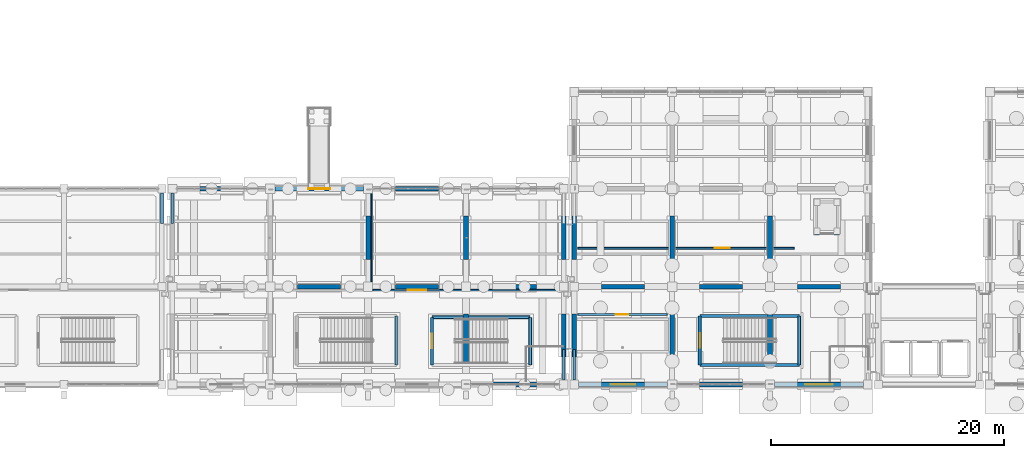
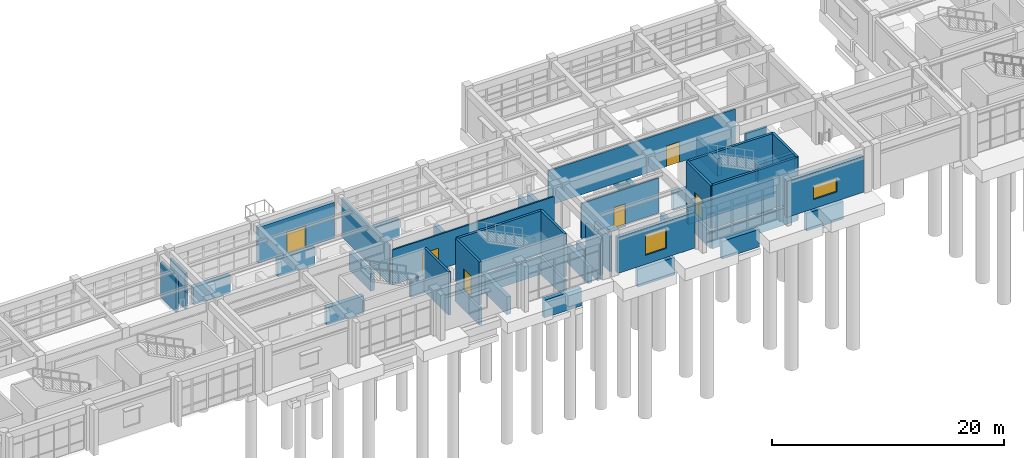
# One storey, part 85 of 111: 51 walls, 6 doors, 2 windows, 8 openings.
"""IFC4 building model written with IfcOpenShell, lengths in metres."""

from ifc_helpers import new_model, si_unit, direction, frame, frame_2d, origin, place, context, subcontext, project, spatial, rectangle, extrude, material, layer, layer_set, type_object, element, fill, save


model = new_model("IFC4")

# Units and contexts
model_context = context("Model", 3, precision=1e-05, world=origin(), true_north=direction((0.0, 1.0)))
body_context = subcontext(model_context, "Body", "Model", "MODEL_VIEW")
ifc_project = project(units=[si_unit("LENGTHUNIT", "METRE"), si_unit("AREAUNIT", "SQUARE_METRE"), si_unit("VOLUMEUNIT", "CUBIC_METRE"), si_unit("PLANEANGLEUNIT", "RADIAN"), si_unit("MASSUNIT", "GRAM", prefix="KILO")], contexts=[model_context])

# Site, building, storey
site_placement = place(None, origin())
site = spatial("IfcSite", under=ifc_project, at=site_placement, CompositionType="ELEMENT")
building_placement = place(site_placement, origin())
building = spatial("IfcBuilding", under=site, at=building_placement, Name="Canglan Escarpment Cableway Terminal", CompositionType="ELEMENT")
storey_placement = place(building_placement, frame((0.0, 0.0, 4.800048828125)))
storey = spatial("IfcBuildingStorey", under=building, at=storey_placement, Name="L01", CompositionType="ELEMENT", Elevation=4.800048828125)

# Walls
ifc_material_1 = material(Name="Concrete C40", Category="concrete")
ifc_layer_1 = layer(ifc_material_1, 0.39990234375, Name="Concrete C40")
ifc_layer_set_1 = layer_set([ifc_layer_1], Name="Concrete C40")
wall_type_1 = type_object("IfcWallType", Name="WL-BENCH-SOLID-400", PredefinedType="SOLIDWALL", material=ifc_layer_set_1)
for number, where, z_axis, x_axis, name in (
    (1, (104.550048828125, 8.0, -2.10009765625), (0.0, 0.0, 1.0), (1.0, 0.0, 0.0), "Hillside bench foundation wall BWALL-X-FB3-1-4"),
    (2, (87.75, 16.39990234375, -2.10009765625), (0.0, 0.0, 1.0), (1.0, 0.0, 0.0), "Hillside bench foundation wall BWALL-X-FB3-2-2"),
):
    element("IfcWall", number, at=place(storey_placement, frame(where, z_axis=z_axis, x_axis=x_axis)), inside=storey, type_object=wall_type_1, Name=name, PredefinedType="SOLIDWALL", context=body_context, shape_type="SweptSolid", body=[
        extrude(rectangle(XDim=3.699951171875, YDim=0.39990234375, at=frame_2d((1.85009765625, 0.0))), origin(), (0.0, 0.0, 1.0), 1.85009765625),
    ])
wall_1_placement = place(storey_placement, frame((96.14990234375, 16.39990234375, -2.10009765625), z_axis=(0.0, 0.0, 1.0), x_axis=(1.0, 0.0, 0.0)))
element("IfcWall", 3, at=wall_1_placement, inside=storey, type_object=wall_type_1, Name="Hillside bench foundation wall BWALL-X-FB3-2-3", PredefinedType="SOLIDWALL", context=body_context, shape_type="SweptSolid", body=[
    extrude(rectangle(XDim=3.7001953125, YDim=0.39990234375, at=frame_2d((1.85009765625, 0.0))), origin(), (0.0, 0.0, 1.0), 1.85009765625),
])
for number, where, z_axis, x_axis, name in (
    (4, (104.550048828125, 16.39990234375, -2.10009765625), (0.0, 0.0, 1.0), (1.0, 0.0, 0.0), "Hillside bench foundation wall BWALL-X-FB3-2-4"),
    (5, (79.35009765625, 24.800048828125, -2.10009765625), (0.0, 0.0, 1.0), (1.0, 0.0, 0.0), "Hillside bench foundation wall BWALL-X-FB3-3-1"),
    (6, (87.75, 24.800048828125, -2.10009765625), (0.0, 0.0, 1.0), (1.0, 0.0, 0.0), "Hillside bench foundation wall BWALL-X-FB3-3-2"),
):
    element("IfcWall", number, at=place(storey_placement, frame(where, z_axis=z_axis, x_axis=x_axis)), inside=storey, type_object=wall_type_1, Name=name, PredefinedType="SOLIDWALL", context=body_context, shape_type="SweptSolid", body=[
        extrude(rectangle(XDim=3.699951171875, YDim=0.39990234375, at=frame_2d((1.85009765625, 0.0))), origin(), (0.0, 0.0, 1.0), 1.85009765625),
    ])
wall_2_placement = place(storey_placement, frame((96.14990234375, 24.800048828125, -2.10009765625), z_axis=(0.0, 0.0, 1.0), x_axis=(1.0, 0.0, 0.0)))
element("IfcWall", 7, at=wall_2_placement, inside=storey, type_object=wall_type_1, Name="Hillside bench foundation wall BWALL-X-FB3-3-3", PredefinedType="SOLIDWALL", context=body_context, shape_type="SweptSolid", body=[
    extrude(rectangle(XDim=3.7001953125, YDim=0.39990234375, at=frame_2d((1.85009765625, 0.0))), origin(), (0.0, 0.0, 1.0), 1.85009765625),
])
wall_3_placement = place(storey_placement, frame((93.800048828125, 18.75, -2.10009765625), z_axis=(0.0, 0.0, 1.0), x_axis=(0.0, 1.0, 0.0)))
element("IfcWall", 8, at=wall_3_placement, inside=storey, type_object=wall_type_1, Name="Hillside bench transverse foundation wall BWALL-Y-FB3-3-2", PredefinedType="SOLIDWALL", context=body_context, shape_type="SweptSolid", body=[
    extrude(rectangle(XDim=3.699951171875, YDim=0.39990234375, at=frame_2d((1.85009765625, 0.0))), origin(), (0.0, 0.0, 1.0), 1.85009765625),
])
wall_4_placement = place(storey_placement, frame((102.199951171875, 9.820068359375, -2.10009765625), z_axis=(0.0, 0.0, 1.0), x_axis=(0.0, 1.0, 0.0)))
element("IfcWall", 9, at=wall_4_placement, inside=storey, type_object=wall_type_1, Name="Hillside bench transverse foundation wall BWALL-Y-FB3-4-1", PredefinedType="SOLIDWALL", context=body_context, shape_type="SweptSolid", body=[
    extrude(rectangle(XDim=4.22998046875, YDim=0.39990234375, at=frame_2d((2.114990234375, 0.0))), origin(), (0.0, 0.0, 1.0), 1.85009765625),
])
for number, where, z_axis, x_axis, name in (
    (10, (102.199951171875, 18.75, -2.10009765625), (0.0, 0.0, 1.0), (0.0, 1.0, 0.0), "Hillside bench transverse foundation wall BWALL-Y-FB3-4-2"),
    (11, (110.60009765625, 10.35009765625, -2.10009765625), (0.0, 0.0, 1.0), (0.0, 1.0, 0.0), "Hillside bench transverse foundation wall BWALL-Y-FB3-5-1"),
    (12, (110.60009765625, 18.75, -2.10009765625), (0.0, 0.0, 1.0), (0.0, 1.0, 0.0), "Hillside bench transverse foundation wall BWALL-Y-FB3-5-2"),
    (13, (113.85009765625, 8.0, -2.10009765625), (0.0, 0.0, 1.0), (1.0, 0.0, 0.0), "Hillside bench foundation wall BWALL-X-FB4-1-1"),
    (14, (122.25, 8.0, -2.10009765625), (0.0, 0.0, 1.0), (1.0, 0.0, 0.0), "Hillside bench foundation wall BWALL-X-FB4-1-2"),
):
    element("IfcWall", number, at=place(storey_placement, frame(where, z_axis=z_axis, x_axis=x_axis)), inside=storey, type_object=wall_type_1, Name=name, PredefinedType="SOLIDWALL", context=body_context, shape_type="SweptSolid", body=[
        extrude(rectangle(XDim=3.699951171875, YDim=0.39990234375, at=frame_2d((1.85009765625, 0.0))), origin(), (0.0, 0.0, 1.0), 1.85009765625),
    ])
wall_5_placement = place(storey_placement, frame((130.64990234375, 8.0, -2.10009765625), z_axis=(0.0, 0.0, 1.0), x_axis=(1.0, 0.0, 0.0)))
element("IfcWall", 15, at=wall_5_placement, inside=storey, type_object=wall_type_1, Name="Hillside bench foundation wall BWALL-X-FB4-1-3", PredefinedType="SOLIDWALL", context=body_context, shape_type="SweptSolid", body=[
    extrude(rectangle(XDim=3.7001953125, YDim=0.39990234375, at=frame_2d((1.85009765625, 0.0))), origin(), (0.0, 0.0, 1.0), 1.85009765625),
])
for number, where, z_axis, x_axis, name in (
    (16, (113.85009765625, 16.39990234375, -2.10009765625), (0.0, 0.0, 1.0), (1.0, 0.0, 0.0), "Hillside bench foundation wall BWALL-X-FB4-2-1"),
    (17, (122.25, 16.39990234375, -2.10009765625), (0.0, 0.0, 1.0), (1.0, 0.0, 0.0), "Hillside bench foundation wall BWALL-X-FB4-2-2"),
):
    element("IfcWall", number, at=place(storey_placement, frame(where, z_axis=z_axis, x_axis=x_axis)), inside=storey, type_object=wall_type_1, Name=name, PredefinedType="SOLIDWALL", context=body_context, shape_type="SweptSolid", body=[
        extrude(rectangle(XDim=3.699951171875, YDim=0.39990234375, at=frame_2d((1.85009765625, 0.0))), origin(), (0.0, 0.0, 1.0), 1.85009765625),
    ])
wall_6_placement = place(storey_placement, frame((130.64990234375, 16.39990234375, -2.10009765625), z_axis=(0.0, 0.0, 1.0), x_axis=(1.0, 0.0, 0.0)))
element("IfcWall", 18, at=wall_6_placement, inside=storey, type_object=wall_type_1, Name="Hillside bench foundation wall BWALL-X-FB4-2-3", PredefinedType="SOLIDWALL", context=body_context, shape_type="SweptSolid", body=[
    extrude(rectangle(XDim=3.7001953125, YDim=0.39990234375, at=frame_2d((1.85009765625, 0.0))), origin(), (0.0, 0.0, 1.0), 1.85009765625),
])
for number, where, z_axis, x_axis, name in (
    (19, (111.5, 10.35009765625, -2.10009765625), (0.0, 0.0, 1.0), (0.0, 1.0, 0.0), "Hillside bench transverse foundation wall BWALL-Y-FB4-1-1"),
    (20, (111.5, 18.75, -2.10009765625), (0.0, 0.0, 1.0), (0.0, 1.0, 0.0), "Hillside bench transverse foundation wall BWALL-Y-FB4-1-2"),
    (21, (119.89990234375, 10.35009765625, -2.10009765625), (0.0, 0.0, 1.0), (0.0, 1.0, 0.0), "Hillside bench transverse foundation wall BWALL-Y-FB4-2-1"),
    (22, (119.89990234375, 18.75, -2.10009765625), (0.0, 0.0, 1.0), (0.0, 1.0, 0.0), "Hillside bench transverse foundation wall BWALL-Y-FB4-2-2"),
):
    element("IfcWall", number, at=place(storey_placement, frame(where, z_axis=z_axis, x_axis=x_axis)), inside=storey, type_object=wall_type_1, Name=name, PredefinedType="SOLIDWALL", context=body_context, shape_type="SweptSolid", body=[
        extrude(rectangle(XDim=3.699951171875, YDim=0.39990234375, at=frame_2d((1.85009765625, 0.0))), origin(), (0.0, 0.0, 1.0), 1.85009765625),
    ])
wall_7_placement = place(storey_placement, frame((128.300048828125, 9.820068359375, -2.10009765625), z_axis=(0.0, 0.0, 1.0), x_axis=(0.0, 1.0, 0.0)))
element("IfcWall", 23, at=wall_7_placement, inside=storey, type_object=wall_type_1, Name="Hillside bench transverse foundation wall BWALL-Y-FB4-3-1", PredefinedType="SOLIDWALL", context=body_context, shape_type="SweptSolid", body=[
    extrude(rectangle(XDim=4.22998046875, YDim=0.39990234375, at=frame_2d((2.114990234375, 0.0))), origin(), (0.0, 0.0, 1.0), 1.85009765625),
])
wall_8_placement = place(storey_placement, frame((128.300048828125, 18.75, -2.10009765625), z_axis=(0.0, 0.0, 1.0), x_axis=(0.0, 1.0, 0.0)))
element("IfcWall", 24, at=wall_8_placement, inside=storey, type_object=wall_type_1, Name="Hillside bench transverse foundation wall BWALL-Y-FB4-3-2", PredefinedType="SOLIDWALL", context=body_context, shape_type="SweptSolid", body=[
    extrude(rectangle(XDim=3.699951171875, YDim=0.39990234375, at=frame_2d((1.85009765625, 0.0))), origin(), (0.0, 0.0, 1.0), 1.85009765625),
])
wall_9_placement = place(storey_placement, frame((107.719970703125, 9.679931640625, -2.10009765625), z_axis=(0.0, 0.0, 1.0), x_axis=(0.0, 1.0, 0.0)))
element("IfcWall", 25, at=wall_9_placement, inside=storey, type_object=wall_type_1, Name="Stair core foundation wall ST-14", PredefinedType="SOLIDWALL", context=body_context, shape_type="SweptSolid", body=[
    extrude(rectangle(XDim=4.090087890625, YDim=0.280029296875, at=frame_2d((2.044921875, 0.0))), origin(), (0.0, 0.0, 1.0), 1.800048828125),
])
wall_10_placement = place(storey_placement, frame((107.719970703125, 13.77001953125, -2.10009765625), z_axis=(0.0, 0.0, 1.0), x_axis=(-1.0, 0.0, 0.0)))
element("IfcWall", 26, at=wall_10_placement, inside=storey, type_object=wall_type_1, Name="Stair core foundation wall ST-14", PredefinedType="SOLIDWALL", context=body_context, shape_type="SweptSolid", body=[
    extrude(rectangle(XDim=8.43994140625, YDim=0.280029296875, at=frame_2d((4.219970703125, 0.0))), origin(), (0.0, 0.0, 1.0), 1.800048828125),
])
wall_11_placement = place(storey_placement, frame((99.280029296875, 13.77001953125, -2.10009765625), z_axis=(0.0, 0.0, 1.0), x_axis=(0.0, -1.0, 0.0)))
element("IfcWall", 27, at=wall_11_placement, inside=storey, type_object=wall_type_1, Name="Stair core foundation wall ST-14", PredefinedType="SOLIDWALL", context=body_context, shape_type="SweptSolid", body=[
    extrude(rectangle(XDim=4.090087890625, YDim=0.280029296875, at=frame_2d((2.044921875, 0.0))), origin(), (0.0, 0.0, 1.0), 1.800048828125),
])
wall_12_placement = place(storey_placement, frame((122.280029296875, 9.679931640625, -2.10009765625), z_axis=(0.0, 0.0, 1.0), x_axis=(1.0, 0.0, 0.0)))
element("IfcWall", 28, at=wall_12_placement, inside=storey, type_object=wall_type_1, Name="Stair core foundation wall ST-07", PredefinedType="SOLIDWALL", context=body_context, shape_type="SweptSolid", body=[
    extrude(rectangle(XDim=8.5400390625, YDim=0.280029296875, at=frame_2d((4.27001953125, 0.0))), origin(), (0.0, 0.0, 1.0), 1.800048828125),
])
wall_13_placement = place(storey_placement, frame((130.820068359375, 9.679931640625, -2.10009765625), z_axis=(0.0, 0.0, 1.0), x_axis=(0.0, 1.0, 0.0)))
element("IfcWall", 29, at=wall_13_placement, inside=storey, type_object=wall_type_1, Name="Stair core foundation wall ST-07", PredefinedType="SOLIDWALL", context=body_context, shape_type="SweptSolid", body=[
    extrude(rectangle(XDim=4.190185546875, YDim=0.280029296875, at=frame_2d((2.09521484375, 0.0))), origin(), (0.0, 0.0, 1.0), 1.800048828125),
])
wall_14_placement = place(storey_placement, frame((130.820068359375, 13.8701171875, -2.10009765625), z_axis=(0.0, 0.0, 1.0), x_axis=(-1.0, 0.0, 0.0)))
element("IfcWall", 30, at=wall_14_placement, inside=storey, type_object=wall_type_1, Name="Stair core foundation wall ST-07", PredefinedType="SOLIDWALL", context=body_context, shape_type="SweptSolid", body=[
    extrude(rectangle(XDim=8.5400390625, YDim=0.280029296875, at=frame_2d((4.27001953125, 0.0))), origin(), (0.0, 0.0, 1.0), 1.800048828125),
])
wall_15_placement = place(storey_placement, frame((122.280029296875, 13.8701171875, -2.10009765625), z_axis=(0.0, 0.0, 1.0), x_axis=(0.0, -1.0, 0.0)))
element("IfcWall", 31, at=wall_15_placement, inside=storey, type_object=wall_type_1, Name="Stair core foundation wall ST-07", PredefinedType="SOLIDWALL", context=body_context, shape_type="SweptSolid", body=[
    extrude(rectangle(XDim=4.190185546875, YDim=0.280029296875, at=frame_2d((2.09521484375, 0.0))), origin(), (0.0, 0.0, 1.0), 1.800048828125),
])
ifc_layer_2 = layer(ifc_material_1, 0.239990234375, Name="Concrete C40")
ifc_layer_set_2 = layer_set([ifc_layer_2], Name="Concrete C40")
wall_type_2 = type_object("IfcWallType", Name="WL-CORE-SHEAR-240", PredefinedType="SHEAR", material=ifc_layer_set_2)
wall_16_placement = place(storey_placement, frame((96.219970703125, 9.679931640625, 0.0), z_axis=(0.0, 0.0, 1.0), x_axis=(0.0, 1.0, 0.0)))
element("IfcWall", 32, at=wall_16_placement, inside=storey, type_object=wall_type_2, Name="Protected stair core wall ST-06 (L01)", PredefinedType="SHEAR", context=body_context, shape_type="SweptSolid", body=[
    extrude(rectangle(XDim=4.190185546875, YDim=0.239990234375, at=frame_2d((2.09521484375, 0.0))), origin(), (0.0, 0.0, 1.0), 4.550048828125),
])
wall_17_placement = place(storey_placement, frame((107.719970703125, 9.679931640625, 0.0), z_axis=(0.0, 0.0, 1.0), x_axis=(0.0, 1.0, 0.0)))
element("IfcWall", 33, at=wall_17_placement, inside=storey, type_object=wall_type_2, Name="Protected stair core wall ST-14 (L01)", PredefinedType="SHEAR", context=body_context, shape_type="SweptSolid", body=[
    extrude(rectangle(XDim=4.090087890625, YDim=0.239990234375, at=frame_2d((2.044921875, 0.0))), origin(), (0.0, 0.0, 1.0), 4.550048828125),
])
wall_18_placement = place(storey_placement, frame((107.719970703125, 13.77001953125, 0.0), z_axis=(0.0, 0.0, 1.0), x_axis=(-1.0, 0.0, 0.0)))
element("IfcWall", 34, at=wall_18_placement, inside=storey, type_object=wall_type_2, Name="Protected stair core wall ST-14 (L01)", PredefinedType="SHEAR", context=body_context, shape_type="SweptSolid", body=[
    extrude(rectangle(XDim=8.43994140625, YDim=0.239990234375, at=frame_2d((4.219970703125, 0.0))), origin(), (0.0, 0.0, 1.0), 4.550048828125),
])

# Wall, opening, door
wall_19_placement = place(storey_placement, frame((99.280029296875, 13.77001953125, 0.0), z_axis=(0.0, 0.0, 1.0), x_axis=(0.0, -1.0, 0.0)))
wall_19 = element("IfcWall", 35, at=wall_19_placement, inside=storey, type_object=wall_type_2, Name="Protected stair core wall ST-14 (L01)", PredefinedType="SHEAR", context=body_context, shape_type="SweptSolid", body=[
    extrude(rectangle(XDim=4.090087890625, YDim=0.239990234375, at=frame_2d((2.044921875, 0.0))), origin(), (0.0, 0.0, 1.0), 4.550048828125),
])
opening_1_placement = place(wall_19_placement, frame((1.419921875, 0.0, 0.0)))
opening_1 = element("IfcOpeningElement", 36, at=opening_1_placement, cuts=wall_19, Name="Opening SD-D1", PredefinedType="OPENING", context=body_context, shape_type="SweptSolid", body=[
    extrude(rectangle(XDim=1.25, YDim=2.199951171875, at=frame_2d((0.625, 1.10009765625))), frame((0.0, 0.1298828125, 0.0), z_axis=(0.0, -1.0, 0.0), x_axis=(1.0, 0.0, 0.0)), (0.0, 0.0, 1.0), 0.260009765625),
])
ifc_material_2 = material(Name="Steel fire-resisting stair door", Category="steel")
door_type_1 = type_object("IfcDoorType", Name="DR-STAIR-EI90-1250", OperationType="NOTDEFINED", PredefinedType="DOOR", material=ifc_material_2)
door_1_placement = place(opening_1_placement, origin())
door_1 = element("IfcDoor", 37, at=door_1_placement, inside=storey, type_object=door_type_1, Name="Protected exit stair fire door ST-14 (L01)", OperationType="SINGLE_SWING_LEFT", OverallHeight=2.199951171875, OverallWidth=1.25, PredefinedType="DOOR", context=body_context, shape_type="SweptSolid", body=[
    extrude(rectangle(XDim=1.25, YDim=2.199951171875, at=frame_2d((0.625, 1.10009765625))), frame((0.0, 0.02490234375, 0.0), z_axis=(0.0, -1.0, 0.0), x_axis=(1.0, 0.0, 0.0)), (0.0, 0.0, 1.0), 0.050048828125),
])
fill(opening_1, door_1)

# Walls
wall_20_placement = place(storey_placement, frame((122.280029296875, 9.679931640625, 0.0), z_axis=(0.0, 0.0, 1.0), x_axis=(1.0, 0.0, 0.0)))
element("IfcWall", 38, at=wall_20_placement, inside=storey, type_object=wall_type_2, Name="Protected stair core wall ST-07 (L01)", PredefinedType="SHEAR", context=body_context, shape_type="SweptSolid", body=[
    extrude(rectangle(XDim=8.5400390625, YDim=0.239990234375, at=frame_2d((4.27001953125, 0.0))), origin(), (0.0, 0.0, 1.0), 4.550048828125),
])
wall_21_placement = place(storey_placement, frame((130.820068359375, 9.679931640625, 0.0), z_axis=(0.0, 0.0, 1.0), x_axis=(0.0, 1.0, 0.0)))
element("IfcWall", 39, at=wall_21_placement, inside=storey, type_object=wall_type_2, Name="Protected stair core wall ST-07 (L01)", PredefinedType="SHEAR", context=body_context, shape_type="SweptSolid", body=[
    extrude(rectangle(XDim=4.190185546875, YDim=0.239990234375, at=frame_2d((2.09521484375, 0.0))), origin(), (0.0, 0.0, 1.0), 4.550048828125),
])
wall_22_placement = place(storey_placement, frame((130.820068359375, 13.8701171875, 0.0), z_axis=(0.0, 0.0, 1.0), x_axis=(-1.0, 0.0, 0.0)))
element("IfcWall", 40, at=wall_22_placement, inside=storey, type_object=wall_type_2, Name="Protected stair core wall ST-07 (L01)", PredefinedType="SHEAR", context=body_context, shape_type="SweptSolid", body=[
    extrude(rectangle(XDim=8.5400390625, YDim=0.239990234375, at=frame_2d((4.27001953125, 0.0))), origin(), (0.0, 0.0, 1.0), 4.550048828125),
])

# Wall, opening, door
wall_23_placement = place(storey_placement, frame((122.280029296875, 13.8701171875, 0.0), z_axis=(0.0, 0.0, 1.0), x_axis=(0.0, -1.0, 0.0)))
wall_23 = element("IfcWall", 41, at=wall_23_placement, inside=storey, type_object=wall_type_2, Name="Protected stair core wall ST-07 (L01)", PredefinedType="SHEAR", context=body_context, shape_type="SweptSolid", body=[
    extrude(rectangle(XDim=4.190185546875, YDim=0.239990234375, at=frame_2d((2.09521484375, 0.0))), origin(), (0.0, 0.0, 1.0), 4.550048828125),
])
opening_2_placement = place(wall_23_placement, frame((1.469970703125, 0.0, 0.0)))
opening_2 = element("IfcOpeningElement", 42, at=opening_2_placement, cuts=wall_23, Name="Opening SD-D1", PredefinedType="OPENING", context=body_context, shape_type="SweptSolid", body=[
    extrude(rectangle(XDim=1.25, YDim=2.199951171875, at=frame_2d((0.625, 1.10009765625))), frame((0.0, 0.1298828125, 0.0), z_axis=(0.0, -1.0, 0.0), x_axis=(1.0, 0.0, 0.0)), (0.0, 0.0, 1.0), 0.260009765625),
])
door_2_placement = place(opening_2_placement, origin())
door_2 = element("IfcDoor", 43, at=door_2_placement, inside=storey, type_object=door_type_1, Name="Protected exit stair fire door ST-07 (L01)", OperationType="SINGLE_SWING_RIGHT", OverallHeight=2.199951171875, OverallWidth=1.25, PredefinedType="DOOR", context=body_context, shape_type="SweptSolid", body=[
    extrude(rectangle(XDim=1.25, YDim=2.199951171875, at=frame_2d((0.625, 1.10009765625))), frame((0.0, 0.02490234375, 0.0), z_axis=(0.0, -1.0, 0.0), x_axis=(1.0, 0.0, 0.0)), (0.0, 0.0, 1.0), 0.050048828125),
])
fill(opening_2, door_2)

# Walls
ifc_material_3 = material(Name="Insulated stone-faced spandrel wall", Category="masonry")
ifc_layer_3 = layer(ifc_material_3, 0.22998046875, Name="Insulated stone-faced spandrel wall")
ifc_layer_set_3 = layer_set([ifc_layer_3], Name="Insulated stone-faced spandrel wall")
wall_type_3 = type_object("IfcWallType", Name="WL-EXT-LINK-230", PredefinedType="STANDARD", material=ifc_layer_set_3)
wall_24_placement = place(storey_placement, frame((76.10009765625, 21.800048828125, 0.0), z_axis=(0.0, 0.0, 1.0), x_axis=(0.0, 1.0, 0.0)))
element("IfcWall", 44, at=wall_24_placement, inside=storey, type_object=wall_type_3, Name="Classical stone-faced exterior wall EW-FB2-L01-E-02-FL2", PredefinedType="STANDARD", context=body_context, shape_type="SweptSolid", body=[
    extrude(rectangle(XDim=2.64990234375, YDim=0.22998046875, at=frame_2d((1.324951171875, 0.0))), origin(), (0.0, 0.0, 1.0), 3.71484375),
])
for number, where, z_axis, x_axis, name in (
    (45, (110.60009765625, 8.375, 0.0), (0.0, 0.0, 1.0), (0.0, 1.0, 0.0), "Classical stone-faced exterior wall EW-FB3-L01-E-01-FL1"),
    (46, (77.0, 21.800048828125, 0.0), (0.0, 0.0, 1.0), (0.0, 1.0, 0.0), "Classical stone-faced exterior wall EW-FB3-L01-W-02-FL2"),
):
    element("IfcWall", number, at=place(storey_placement, frame(where, z_axis=z_axis, x_axis=x_axis)), inside=storey, type_object=wall_type_3, Name=name, PredefinedType="STANDARD", context=body_context, shape_type="SweptSolid", body=[
        extrude(rectangle(XDim=2.625, YDim=0.22998046875, at=frame_2d((1.3125, 0.0))), origin(), (0.0, 0.0, 1.0), 3.784912109375),
    ])
wall_25_placement = place(storey_placement, frame((111.5, 8.375, 0.0), z_axis=(0.0, 0.0, 1.0), x_axis=(0.0, 1.0, 0.0)))
element("IfcWall", 47, at=wall_25_placement, inside=storey, type_object=wall_type_3, Name="Classical stone-faced exterior wall EW-FB4-L01-W-01-FL1", PredefinedType="STANDARD", context=body_context, shape_type="SweptSolid", body=[
    extrude(rectangle(XDim=2.625, YDim=0.22998046875, at=frame_2d((1.3125, 0.0))), origin(), (0.0, 0.0, 1.0), 3.68505859375),
])

# Wall, opening, door
ifc_material_4 = material(Name="Rusticated limestone masonry on Concrete C40", Category="masonry")
ifc_layer_4 = layer(ifc_material_4, 0.360107421875, Name="Rusticated limestone masonry on Concrete C40")
ifc_layer_set_4 = layer_set([ifc_layer_4], Name="Rusticated limestone masonry on Concrete C40")
wall_type_4 = type_object("IfcWallType", Name="WL-EXT-RUST-360", PredefinedType="STANDARD", material=ifc_layer_set_4)
wall_26_placement = place(storey_placement, frame((93.39990234375, 24.800048828125, 0.0), z_axis=(0.0, 0.0, 1.0), x_axis=(-1.0, 0.0, 0.0)))
wall_26 = element("IfcWall", 48, at=wall_26_placement, inside=storey, type_object=wall_type_4, Name="Classical stone-faced exterior wall EW-FB3-L01-N-02", PredefinedType="STANDARD", context=body_context, shape_type="SweptSolid", body=[
    extrude(rectangle(XDim=7.599853515625, YDim=0.360107421875, at=frame_2d((3.7998046875, 0.0))), origin(), (0.0, 0.0, 1.0), 3.784912109375),
])
opening_3_placement = place(wall_26_placement, frame((2.85009765625, 0.0, 0.0)))
opening_3 = element("IfcOpeningElement", 49, at=opening_3_placement, cuts=wall_26, Name="Opening ED-06", PredefinedType="OPENING", context=body_context, shape_type="SweptSolid", body=[
    extrude(rectangle(XDim=1.89990234375, YDim=2.300048828125, at=frame_2d((0.949951171875, 1.14990234375))), frame((0.0, 0.18994140625, 0.0), z_axis=(0.0, -1.0, 0.0), x_axis=(1.0, 0.0, 0.0)), (0.0, 0.0, 1.0), 0.380126953125),
])
ifc_material_5 = material(Name="Anodized bronze aluminium and tempered safety glass", Category="aluminium")
door_type_2 = type_object("IfcDoorType", Name="DR-EXT-RAMP-1900", OperationType="NOTDEFINED", PredefinedType="DOOR", material=ifc_material_5)
door_3_placement = place(opening_3_placement, origin())
door_3 = element("IfcDoor", 50, at=door_3_placement, inside=storey, type_object=door_type_2, Name="Accessible ramp vestibule glazed double door ED-06", OperationType="DOUBLE_DOOR_SINGLE_SWING", OverallHeight=2.300048828125, OverallWidth=1.89990234375, PredefinedType="DOOR", context=body_context, shape_type="SweptSolid", body=[
    extrude(rectangle(XDim=1.89990234375, YDim=2.300048828125, at=frame_2d((0.949951171875, 1.14990234375))), frame((0.0, 0.02490234375, 0.0), z_axis=(0.0, -1.0, 0.0), x_axis=(1.0, 0.0, 0.0)), (0.0, 0.0, 1.0), 0.050048828125),
])
fill(opening_3, door_3)

# Wall, opening, window
wall_27_placement = place(storey_placement, frame((111.875, 8.0, 0.0), z_axis=(0.0, 0.0, 1.0), x_axis=(1.0, 0.0, 0.0)))
wall_27 = element("IfcWall", 51, at=wall_27_placement, inside=storey, type_object=wall_type_4, Name="Classical stone-faced exterior wall EW-FB4-L01-S-01", PredefinedType="STANDARD", context=body_context, shape_type="SweptSolid", body=[
    extrude(rectangle(XDim=7.625, YDim=0.360107421875, at=frame_2d((3.8125, 0.0))), origin(), (0.0, 0.0, 1.0), 3.784912109375),
])
opening_4_placement = place(wall_27_placement, frame((2.762451171875, 0.0, 0.949951171875)))
opening_4 = element("IfcOpeningElement", 52, at=opening_4_placement, cuts=wall_27, Name="Opening W-20", PredefinedType="OPENING", context=body_context, shape_type="SweptSolid", body=[
    extrude(rectangle(XDim=2.10009765625, YDim=2.14990234375, at=frame_2d((1.050048828125, 1.074951171875))), frame((0.0, 0.18994140625, 0.0), z_axis=(0.0, -1.0, 0.0), x_axis=(1.0, 0.0, 0.0)), (0.0, 0.0, 1.0), 0.380126953125),
])
ifc_material_6 = material(Name="Anodized bronze aluminium and Low-E double glazing", Category="aluminium")
window_type_1 = type_object("IfcWindowType", Name="WIN-EXT-20", PartitioningType="DOUBLE_PANEL_VERTICAL", PredefinedType="WINDOW", material=ifc_material_6)
window_1_placement = place(opening_4_placement, origin())
window_1 = element("IfcWindow", 53, at=window_1_placement, inside=storey, type_object=window_type_1, Name="Classical module window W-20", OverallHeight=2.14990234375, OverallWidth=2.10009765625, PartitioningType="SINGLE_PANEL", PredefinedType="WINDOW", context=body_context, shape_type="SweptSolid", body=[
    extrude(rectangle(XDim=2.10009765625, YDim=2.14990234375, at=frame_2d((1.050048828125, 1.074951171875))), frame((0.0, 0.030029296875, 0.0), z_axis=(0.0, -1.0, 0.0), x_axis=(1.0, 0.0, 0.0)), (0.0, 0.0, 1.0), 0.06005859375),
])
fill(opening_4, window_1)

wall_28_placement = place(storey_placement, frame((128.699951171875, 8.0, 0.0), z_axis=(0.0, 0.0, 1.0), x_axis=(1.0, 0.0, 0.0)))
wall_28 = element("IfcWall", 54, at=wall_28_placement, inside=storey, type_object=wall_type_4, Name="Classical stone-faced exterior wall EW-FB4-L01-S-03", PredefinedType="STANDARD", context=body_context, shape_type="SweptSolid", body=[
    extrude(rectangle(XDim=7.625, YDim=0.360107421875, at=frame_2d((3.8125, 0.0))), origin(), (0.0, 0.0, 1.0), 3.784912109375),
])
opening_5_placement = place(wall_28_placement, frame((2.637451171875, 0.0, 0.949951171875)))
opening_5 = element("IfcOpeningElement", 55, at=opening_5_placement, cuts=wall_28, Name="Opening W-21", PredefinedType="OPENING", context=body_context, shape_type="SweptSolid", body=[
    extrude(rectangle(XDim=2.35009765625, YDim=1.449951171875, at=frame_2d((1.175048828125, 0.72509765625))), frame((0.0, 0.18994140625, 0.0), z_axis=(0.0, -1.0, 0.0), x_axis=(1.0, 0.0, 0.0)), (0.0, 0.0, 1.0), 0.380126953125),
])
window_type_2 = type_object("IfcWindowType", Name="WIN-EXT-21", PartitioningType="DOUBLE_PANEL_VERTICAL", PredefinedType="WINDOW", material=ifc_material_6)
window_2_placement = place(opening_5_placement, origin())
window_2 = element("IfcWindow", 56, at=window_2_placement, inside=storey, type_object=window_type_2, Name="Classical module window W-21", OverallHeight=1.449951171875, OverallWidth=2.35009765625, PartitioningType="SINGLE_PANEL", PredefinedType="WINDOW", context=body_context, shape_type="SweptSolid", body=[
    extrude(rectangle(XDim=2.35009765625, YDim=1.449951171875, at=frame_2d((1.175048828125, 0.72509765625))), frame((0.0, 0.030029296875, 0.0), z_axis=(0.0, -1.0, 0.0), x_axis=(1.0, 0.0, 0.0)), (0.0, 0.0, 1.0), 0.06005859375),
])
fill(opening_5, window_2)

# Wall, opening, door
ifc_material_7 = material(Name="Acoustic double-stud gypsum partition", Category="gypsum")
ifc_layer_5 = layer(ifc_material_7, 0.14990234375, Name="Acoustic double-stud gypsum partition")
ifc_layer_set_5 = layer_set([ifc_layer_5], Name="Acoustic double-stud gypsum partition")
wall_type_5 = type_object("IfcWallType", Name="WL-INT-PART-150", PredefinedType="PARTITIONING", material=ifc_layer_set_5)
wall_29_placement = place(storey_placement, frame((94.199951171875, 16.10009765625, 0.0), z_axis=(0.0, 0.0, 1.0), x_axis=(1.0, 0.0, 0.0)))
wall_29 = element("IfcWall", 57, at=wall_29_placement, inside=storey, type_object=wall_type_5, Name="Interior partition wall IW-L01-12-MAIN", PredefinedType="PARTITIONING", context=body_context, shape_type="SweptSolid", body=[
    extrude(rectangle(XDim=16.10009765625, YDim=0.14990234375, at=frame_2d((8.050048828125, 0.0))), origin(), (0.0, 0.0, 1.0), 3.68505859375),
])
opening_6_placement = place(wall_29_placement, frame((3.0, 0.0, 0.0)))
opening_6 = element("IfcOpeningElement", 58, at=opening_6_placement, cuts=wall_29, Name="Opening ID-24", PredefinedType="OPENING", context=body_context, shape_type="SweptSolid", body=[
    extrude(rectangle(XDim=1.60009765625, YDim=2.280029296875, at=frame_2d((0.800048828125, 1.14013671875))), frame((0.0, 0.0849609375, 0.0), z_axis=(0.0, -1.0, 0.0), x_axis=(1.0, 0.0, 0.0)), (0.0, 0.0, 1.0), 0.169921875),
])
ifc_material_8 = material(Name="Stained oak and safety glass door", Category="glass")
door_type_3 = type_object("IfcDoorType", Name="DR-INT-ID-24", OperationType="NOTDEFINED", PredefinedType="DOOR", material=ifc_material_8)
door_4_placement = place(opening_6_placement, origin())
door_4 = element("IfcDoor", 59, at=door_4_placement, inside=storey, type_object=door_type_3, Name="Souvenir Arcade door ID-24", OperationType="DOUBLE_DOOR_SINGLE_SWING", OverallHeight=2.280029296875, OverallWidth=1.60009765625, PredefinedType="DOOR", context=body_context, shape_type="SweptSolid", body=[
    extrude(rectangle(XDim=1.60009765625, YDim=2.280029296875, at=frame_2d((0.800048828125, 1.14013671875))), frame((0.0, 0.02490234375, 0.0), z_axis=(0.0, -1.0, 0.0), x_axis=(1.0, 0.0, 0.0)), (0.0, 0.0, 1.0), 0.050048828125),
])
fill(opening_6, door_4)

# Wall
wall_30_placement = place(storey_placement, frame((94.10009765625, 16.25, 0.0), z_axis=(0.0, 0.0, 1.0), x_axis=(0.0, 1.0, 0.0)))
element("IfcWall", 60, at=wall_30_placement, inside=storey, type_object=wall_type_5, Name="Interior partition wall IW-L01-12-SIDE", PredefinedType="PARTITIONING", context=body_context, shape_type="SweptSolid", body=[
    extrude(rectangle(XDim=8.25, YDim=0.14990234375, at=frame_2d((4.125, 0.0))), origin(), (0.0, 0.0, 1.0), 4.135009765625),
])

# Wall, opening, door
wall_31_placement = place(storey_placement, frame((111.800048828125, 19.699951171875, 0.0), z_axis=(0.0, 0.0, 1.0), x_axis=(1.0, 0.0, 0.0)))
wall_31 = element("IfcWall", 61, at=wall_31_placement, inside=storey, type_object=wall_type_5, Name="Interior partition wall IW-L01-14-MAIN", PredefinedType="PARTITIONING", context=body_context, shape_type="SweptSolid", body=[
    extrude(rectangle(XDim=18.599853515625, YDim=0.14990234375, at=frame_2d((9.2998046875, 0.0))), origin(), (0.0, 0.0, 1.0), 3.68505859375),
])
opening_7_placement = place(wall_31_placement, frame((11.75, 0.0, 0.0)))
opening_7 = element("IfcOpeningElement", 62, at=opening_7_placement, cuts=wall_31, Name="Opening ID-12", PredefinedType="OPENING", context=body_context, shape_type="SweptSolid", body=[
    extrude(rectangle(XDim=1.300048828125, YDim=2.179931640625, at=frame_2d((0.64990234375, 1.08984375))), frame((0.0, 0.0849609375, 0.0), z_axis=(0.0, -1.0, 0.0), x_axis=(1.0, 0.0, 0.0)), (0.0, 0.0, 1.0), 0.169921875),
])
door_type_4 = type_object("IfcDoorType", Name="DR-INT-ID-12", OperationType="NOTDEFINED", PredefinedType="DOOR", material=ifc_material_8)
door_5_placement = place(opening_7_placement, origin())
door_5 = element("IfcDoor", 63, at=door_5_placement, inside=storey, type_object=door_type_4, Name="Station Administration Office door ID-12", OperationType="SINGLE_SWING_LEFT", OverallHeight=2.179931640625, OverallWidth=1.300048828125, PredefinedType="DOOR", context=body_context, shape_type="SweptSolid", body=[
    extrude(rectangle(XDim=1.300048828125, YDim=2.179931640625, at=frame_2d((0.64990234375, 1.08984375))), frame((0.0, 0.02490234375, 0.0), z_axis=(0.0, -1.0, 0.0), x_axis=(1.0, 0.0, 0.0)), (0.0, 0.0, 1.0), 0.050048828125),
])
fill(opening_7, door_5)

wall_32_placement = place(storey_placement, frame((111.800048828125, 14.0, 0.0), z_axis=(0.0, 0.0, 1.0), x_axis=(1.0, 0.0, 0.0)))
wall_32 = element("IfcWall", 64, at=wall_32_placement, inside=storey, type_object=wall_type_5, Name="Interior partition wall IW-L01-15-MAIN", PredefinedType="PARTITIONING", context=body_context, shape_type="SweptSolid", body=[
    extrude(rectangle(XDim=7.699951171875, YDim=0.14990234375, at=frame_2d((3.85009765625, 0.0))), origin(), (0.0, 0.0, 1.0), 3.68505859375),
])
opening_8_placement = place(wall_32_placement, frame((3.25, 0.0, 0.0)))
opening_8 = element("IfcOpeningElement", 65, at=opening_8_placement, cuts=wall_32, Name="Opening ID-05", PredefinedType="OPENING", context=body_context, shape_type="SweptSolid", body=[
    extrude(rectangle(XDim=1.10009765625, YDim=2.14990234375, at=frame_2d((0.550048828125, 1.074951171875))), frame((0.0, 0.0849609375, 0.0), z_axis=(0.0, -1.0, 0.0), x_axis=(1.0, 0.0, 0.0)), (0.0, 0.0, 1.0), 0.169921875),
])
door_type_5 = type_object("IfcDoorType", Name="DR-INT-ID-05", OperationType="NOTDEFINED", PredefinedType="DOOR", material=ifc_material_8)
door_6_placement = place(opening_8_placement, origin())
door_6 = element("IfcDoor", 66, at=door_6_placement, inside=storey, type_object=door_type_5, Name="Ticket Audit Office door ID-05", OperationType="SINGLE_SWING_RIGHT", OverallHeight=2.14990234375, OverallWidth=1.10009765625, PredefinedType="DOOR", context=body_context, shape_type="SweptSolid", body=[
    extrude(rectangle(XDim=1.10009765625, YDim=2.14990234375, at=frame_2d((0.550048828125, 1.074951171875))), frame((0.0, 0.02490234375, 0.0), z_axis=(0.0, -1.0, 0.0), x_axis=(1.0, 0.0, 0.0)), (0.0, 0.0, 1.0), 0.050048828125),
])
fill(opening_8, door_6)

# Wall
ifc_layer_6 = layer(ifc_material_1, 0.219970703125, Name="Concrete C40")
ifc_layer_set_6 = layer_set([ifc_layer_6], Name="Concrete C40")
wall_type_6 = type_object("IfcWallType", Name="WL-SHAFT-SHEAR-220", PredefinedType="SHEAR", material=ifc_layer_set_6)
wall_33_placement = place(storey_placement, frame((132.139892578125, 20.93994140625, -1.400146484375), z_axis=(0.0, 0.0, 1.0), x_axis=(1.0, 0.0, 0.0)))
element("IfcWall", 67, at=wall_33_placement, inside=storey, type_object=wall_type_6, Name="Elevator pit wall LF-06", PredefinedType="SHEAR", context=body_context, shape_type="SweptSolid", body=[
    extrude(rectangle(XDim=2.1201171875, YDim=0.219970703125, at=frame_2d((1.06005859375, 0.0))), origin(), (0.0, 0.0, 1.0), 1.1201171875),
])

save(model, "model.ifc")
